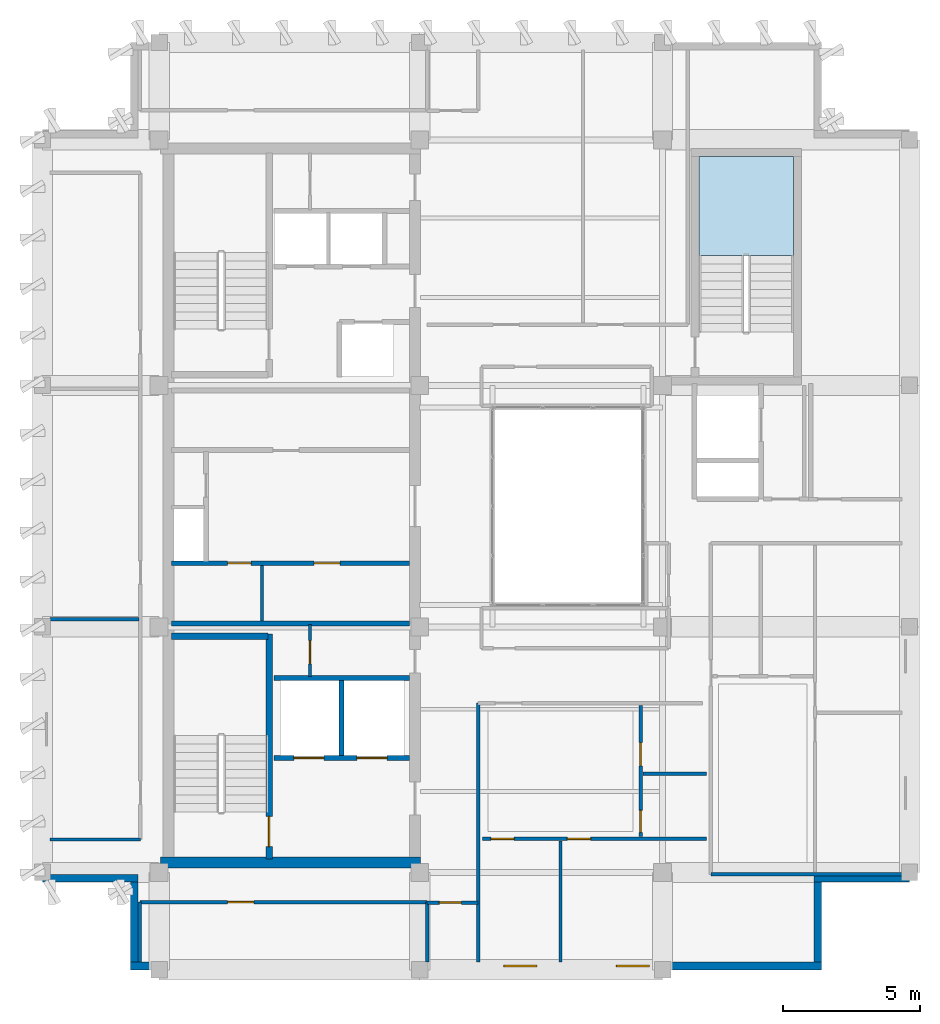
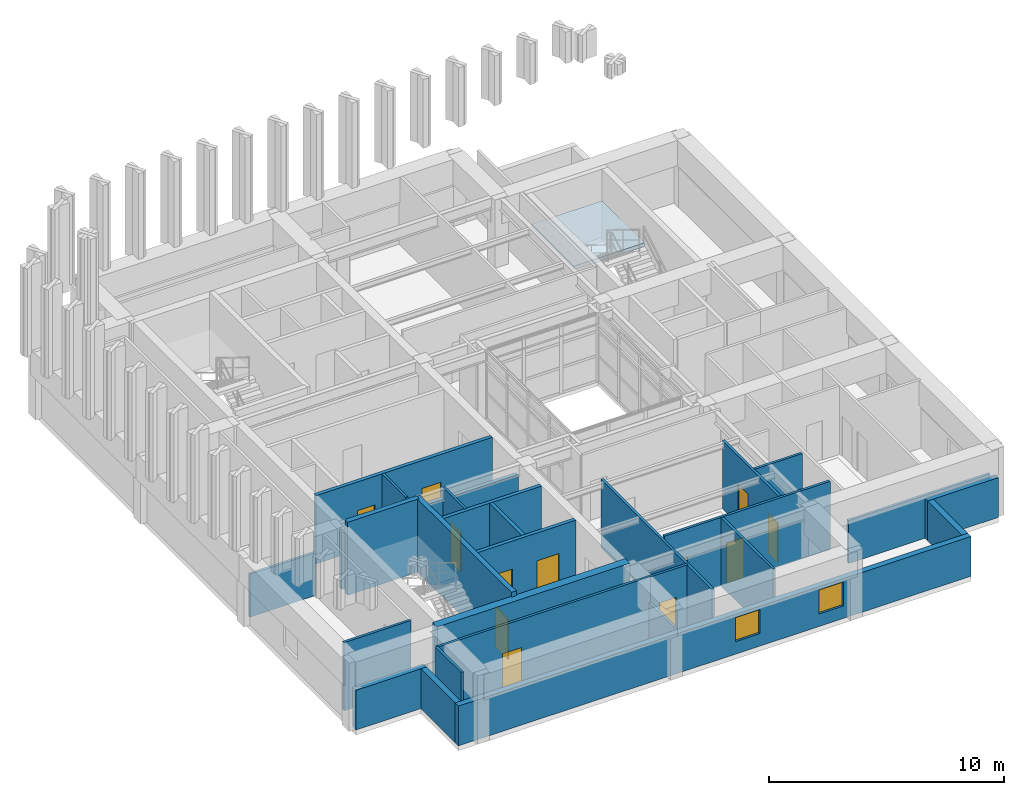
# One storey, part 6 of 11: 27 walls, 12 doors, 2 windows, 1 slab, 14 openings, 1 element without a shape of its own.
"""IFC4 building model written with IfcOpenShell, lengths in metres."""

from ifc_helpers import new_model, si_unit, direction, frame, frame_2d, origin, place, context, subcontext, project, spatial, polyline, rectangle, outline, extrude, material, layer, layer_set, type_object, element, fill, aggregate, save


model = new_model("IFC4")

# Units and contexts
model_context = context("Model", 3, precision=1e-05, world=origin(), true_north=direction((0.0, 1.0)))
body_context = subcontext(model_context, "Body", "Model", "MODEL_VIEW")
ifc_project = project(units=[si_unit("LENGTHUNIT", "METRE"), si_unit("AREAUNIT", "SQUARE_METRE"), si_unit("VOLUMEUNIT", "CUBIC_METRE"), si_unit("PLANEANGLEUNIT", "RADIAN"), si_unit("MASSUNIT", "GRAM", prefix="KILO")], contexts=[model_context])

# Site, building, storey
site_placement = place(None, origin())
site = spatial("IfcSite", under=ifc_project, at=site_placement, CompositionType="ELEMENT")
building_placement = place(site_placement, origin())
building = spatial("IfcBuilding", under=site, at=building_placement, Name="Kundavana Baori Tower", CompositionType="ELEMENT")
storey_placement = place(building_placement, frame((0.0, 0.0, 346.699951171875)))
storey = spatial("IfcBuildingStorey", under=building, at=storey_placement, Name="L86", CompositionType="ELEMENT", Elevation=346.699951171875)

# Stair, slab
ifc_material_1 = material(Name="Concrete C40/50", Category="concrete")
stair_type = type_object("IfcStairType", Name="STR-DOG-1650", PredefinedType="HALF_TURN_STAIR", material=ifc_material_1)
stair_placement = place(storey_placement, origin())
stair = element("IfcStair", 1, at=stair_placement, inside=storey, type_object=stair_type, Name="L86 Protected Exit Stair ST3", PredefinedType="HALF_TURN_STAIR")
ifc_material_2 = material(Name="Concrete C40/50", Category="concrete")
ifc_layer_1 = layer(ifc_material_2, 0.199951171875, Name="SLB-LND-200")
ifc_layer_set_1 = layer_set([ifc_layer_1], Name="Concrete C40/50")
slab_type = type_object("IfcSlabType", Name="SLB-LND-200", PredefinedType="LANDING", material=ifc_layer_set_1)
slab_placement = place(storey_placement, frame((0.0, 0.0, 1.699951171875)))
slab = element("IfcSlab", 2, at=slab_placement, type_object=slab_type, Name="ST3 landing 1", PredefinedType="LANDING", context=body_context, shape_type="SweptSolid", body=[
    extrude(outline(polyline([(38.580078125, 37.739990234375), (38.580078125, 41.35009765625), (35.1201171875, 41.35009765625), (35.1201171875, 37.739990234375), (38.580078125, 37.739990234375)])), origin(), (0.0, 0.0, 1.0), 0.2001953125),
])
aggregate(stair, [slab])

# Wall
ifc_material_3 = material(Name="Concrete C50/60", Category="concrete")
ifc_layer_2 = layer(ifc_material_3, 0.39990234375, Name="WL-CORE-400")
ifc_layer_set_2 = layer_set([ifc_layer_2], Name="Concrete C50/60")
wall_type_1 = type_object("IfcWallType", Name="WL-CORE-400", PredefinedType="SHEAR", material=ifc_layer_set_2)
wall_1_placement = place(storey_placement, frame((15.5, 15.610107421875, 0.0), z_axis=(0.0, 0.0, 1.0), x_axis=(1.0, 0.0, 0.0)))
element("IfcWall", 3, at=wall_1_placement, inside=storey, type_object=wall_type_1, Name="L86 Offset Core South Shear Wall", PredefinedType="SHEAR", context=body_context, shape_type="SweptSolid", body=[
    extrude(rectangle(XDim=9.47998046875, YDim=0.39990234375, at=frame_2d((4.739990234375, 0.0))), origin(), (0.0, 0.0, 1.0), 3.550048828125),
])

# Wall, opening, door
wall_2_placement = place(storey_placement, frame((19.4599609375, 15.739990234375, 0.0), z_axis=(0.0, 0.0, 1.0), x_axis=(0.0, 1.0, 0.0)))
wall_2 = element("IfcWall", 4, at=wall_2_placement, inside=storey, type_object=wall_type_1, Name="WL-L86-ST1-E", PredefinedType="SHEAR", context=body_context, shape_type="SweptSolid", body=[
    extrude(rectangle(XDim=8.199951171875, YDim=0.239990234375, at=frame_2d((4.10009765625, 0.0))), origin(), (0.0, 0.0, 1.0), 3.800048828125),
])
opening_1_placement = place(wall_2_placement, frame((0.449951171875, 0.0, 0.0)))
opening_1 = element("IfcOpeningElement", 5, at=opening_1_placement, cuts=wall_2, Name="Opening FD-110", PredefinedType="OPENING", context=body_context, shape_type="SweptSolid", body=[
    extrude(rectangle(XDim=1.10009765625, YDim=2.10009765625, at=frame_2d((0.550048828125, 1.050048828125))), frame((0.0, 0.1298828125, 0.0), z_axis=(0.0, -1.0, 0.0), x_axis=(1.0, 0.0, 0.0)), (0.0, 0.0, 1.0), 0.260009765625),
])
ifc_material_4 = material(Name="Galvanised Steel Fire-Rated Door Leaf", Category="steel")
door_type_1 = type_object("IfcDoorType", Name="DR-FD120-1100", OperationType="NOTDEFINED", PredefinedType="DOOR", material=ifc_material_4)
door_1_placement = place(opening_1_placement, origin())
door_1 = element("IfcDoor", 6, at=door_1_placement, inside=storey, type_object=door_type_1, Name="DR-L86-ST1", OperationType="SINGLE_SWING_LEFT", OverallHeight=2.10009765625, OverallWidth=1.10009765625, PredefinedType="DOOR", context=body_context, shape_type="SweptSolid", body=[
    extrude(rectangle(XDim=1.10009765625, YDim=2.10009765625, at=frame_2d((0.550048828125, 1.050048828125))), frame((0.0, 0.02490234375, 0.0), z_axis=(0.0, -1.0, 0.0), x_axis=(1.0, 0.0, 0.0)), (0.0, 0.0, 1.0), 0.050048828125),
])
fill(opening_1, door_1)

# Wall
wall_3_placement = place(storey_placement, frame((15.89990234375, 23.860107421875, 0.0), z_axis=(0.0, 0.0, 1.0), x_axis=(1.0, 0.0, 0.0)))
element("IfcWall", 7, at=wall_3_placement, inside=storey, type_object=wall_type_1, Name="WL-L86-ST1-N", PredefinedType="SHEAR", context=body_context, shape_type="SweptSolid", body=[
    extrude(rectangle(XDim=3.52001953125, YDim=0.239990234375, at=frame_2d((1.760009765625, 0.0))), origin(), (0.0, 0.0, 1.0), 3.800048828125),
])

# Wall, openings, windows
ifc_material_5 = material(Name="Red-Buff Dholpur Sandstone Cladding on Concrete C40/50", Category="masonry")
ifc_layer_3 = layer(ifc_material_5, 0.280029296875, Name="WL-EXT-SAND-280")
ifc_layer_set_3 = layer_set([ifc_layer_3], Name="Red-Buff Dholpur Sandstone Cladding on Concrete C40/50")
wall_type_2 = type_object("IfcWallType", Name="WL-EXT-SAND-280", PredefinedType="STANDARD", material=ifc_layer_set_3)
wall_4_placement = place(storey_placement, frame((14.39990234375, 11.840087890625, 0.0), z_axis=(0.0, 0.0, 1.0), x_axis=(1.0, 0.0, 0.0)))
wall_4 = element("IfcWall", 8, at=wall_4_placement, inside=storey, type_object=wall_type_2, Name="L86 Exterior Insulated Facade Wall 01", PredefinedType="STANDARD", context=body_context, shape_type="SweptSolid", body=[
    extrude(rectangle(XDim=25.2001953125, YDim=0.280029296875, at=frame_2d((12.60009765625, 0.0))), origin(), (0.0, 0.0, 1.0), 2.070068359375),
])
opening_2_placement = place(wall_4_placement, frame((13.6201171875, 0.0, 0.64990234375)))
opening_2 = element("IfcOpeningElement", 9, at=opening_2_placement, cuts=wall_4, Name="Opening W-12", PredefinedType="OPENING", context=body_context, shape_type="SweptSolid", body=[
    extrude(rectangle(XDim=1.199951171875, YDim=1.25, at=frame_2d((0.60009765625, 0.625))), frame((0.0, 0.14990234375, 0.0), z_axis=(0.0, -1.0, 0.0), x_axis=(1.0, 0.0, 0.0)), (0.0, 0.0, 1.0), 0.300048828125),
])
opening_3_placement = place(wall_4_placement, frame((17.720947265625, 0.0, 0.64990234375)))
opening_3 = element("IfcOpeningElement", 10, at=opening_3_placement, cuts=wall_4, Name="Opening W-12", PredefinedType="OPENING", context=body_context, shape_type="SweptSolid", body=[
    extrude(rectangle(XDim=1.199951171875, YDim=1.25, at=frame_2d((0.60009765625, 0.625))), frame((0.0, 0.14990234375, 0.0), z_axis=(0.0, -1.0, 0.0), x_axis=(1.0, 0.0, 0.0)), (0.0, 0.0, 1.0), 0.300048828125),
])
ifc_material_6 = material(Name="Double-Glazed Solar-Control Low-E Insulated Glass", Category="glass")
window_type = type_object("IfcWindowType", Name="WIN-TRN-1200x1250", PartitioningType="SINGLE_PANEL", PredefinedType="WINDOW", material=ifc_material_6)
window_1_placement = place(opening_2_placement, origin())
window_1 = element("IfcWindow", 11, at=window_1_placement, inside=storey, type_object=window_type, Name="L86 Dwelling Outlook Window DW-2", OverallHeight=1.25, OverallWidth=1.199951171875, PartitioningType="SINGLE_PANEL", PredefinedType="WINDOW", context=body_context, shape_type="SweptSolid", body=[
    extrude(rectangle(XDim=1.199951171875, YDim=1.25, at=frame_2d((0.60009765625, 0.625))), frame((0.0, 0.030029296875, 0.0), z_axis=(0.0, -1.0, 0.0), x_axis=(1.0, 0.0, 0.0)), (0.0, 0.0, 1.0), 0.06005859375),
])
fill(opening_2, window_1)
window_2_placement = place(opening_3_placement, origin())
window_2 = element("IfcWindow", 12, at=window_2_placement, inside=storey, type_object=window_type, Name="L86 Dwelling Outlook Window DW-3", OverallHeight=1.25, OverallWidth=1.199951171875, PartitioningType="SINGLE_PANEL", PredefinedType="WINDOW", context=body_context, shape_type="SweptSolid", body=[
    extrude(rectangle(XDim=1.199951171875, YDim=1.25, at=frame_2d((0.60009765625, 0.625))), frame((0.0, 0.030029296875, 0.0), z_axis=(0.0, -1.0, 0.0), x_axis=(1.0, 0.0, 0.0)), (0.0, 0.0, 1.0), 0.06005859375),
])
fill(opening_3, window_2)

# Walls
wall_5_placement = place(storey_placement, frame((39.4599609375, 11.97998046875, 0.0), z_axis=(0.0, 0.0, 1.0), x_axis=(0.0, 1.0, 0.0)))
element("IfcWall", 13, at=wall_5_placement, inside=storey, type_object=wall_type_2, Name="L86 Exterior Insulated Facade Wall 02", PredefinedType="STANDARD", context=body_context, shape_type="SweptSolid", body=[
    extrude(rectangle(XDim=2.919921875, YDim=0.280029296875, at=frame_2d((1.4599609375, 0.0))), origin(), (0.0, 0.0, 1.0), 2.070068359375),
])
for number, where, z_axis, x_axis, name in (
    (14, (39.320068359375, 15.0400390625, 0.0), (0.0, 0.0, 1.0), (1.0, 0.0, 0.0), "L86 Exterior Insulated Facade Wall 03"),
    (15, (11.199951171875, 15.0400390625, 0.0), (0.0, 0.0, 1.0), (1.0, 0.0, 0.0), "L86 Exterior Insulated Facade Wall 11"),
):
    element("IfcWall", number, at=place(storey_placement, frame(where, z_axis=z_axis, x_axis=x_axis)), inside=storey, type_object=wall_type_2, Name=name, PredefinedType="STANDARD", context=body_context, shape_type="SweptSolid", body=[
        extrude(rectangle(XDim=3.47998046875, YDim=0.280029296875, at=frame_2d((1.739990234375, 0.0))), origin(), (0.0, 0.0, 1.0), 2.070068359375),
    ])
wall_6_placement = place(storey_placement, frame((14.5400390625, 14.89990234375, 0.0), z_axis=(0.0, 0.0, 1.0), x_axis=(0.0, -1.0, 0.0)))
element("IfcWall", 16, at=wall_6_placement, inside=storey, type_object=wall_type_2, Name="L86 Exterior Insulated Facade Wall 12", PredefinedType="STANDARD", context=body_context, shape_type="SweptSolid", body=[
    extrude(rectangle(XDim=2.919921875, YDim=0.280029296875, at=frame_2d((1.4599609375, 0.0))), origin(), (0.0, 0.0, 1.0), 2.070068359375),
])

# Wall, opening, door
ifc_material_7 = material(Name="Acoustic Gypsum Plasterboard on Galvanised Steel Studs", Category="steel")
ifc_layer_4 = layer(ifc_material_7, 0.1201171875, Name="WL-PART-120")
ifc_layer_set_4 = layer_set([ifc_layer_4], Name="Acoustic Gypsum Plasterboard on Galvanised Steel Studs")
wall_type_3 = type_object("IfcWallType", Name="WL-PART-120", PredefinedType="PARTITIONING", material=ifc_layer_set_4)
wall_7_placement = place(storey_placement, frame((20.949951171875, 22.39990234375, 0.0), z_axis=(0.0, 0.0, 1.0), x_axis=(0.0, 1.0, 0.0)))
wall_7 = element("IfcWall", 17, at=wall_7_placement, inside=storey, type_object=wall_type_3, Name="WL-L86-CSMK-D2", PredefinedType="PARTITIONING", context=body_context, shape_type="SweptSolid", body=[
    extrude(rectangle(XDim=1.880126953125, YDim=0.1201171875, at=frame_2d((0.93994140625, 0.0))), origin(), (0.0, 0.0, 1.0), 3.550048828125),
])
opening_4_placement = place(wall_7_placement, frame((0.449951171875, 0.0, 0.0)))
opening_4 = element("IfcOpeningElement", 18, at=opening_4_placement, cuts=wall_7, Name="Opening FD-085", PredefinedType="OPENING", context=body_context, shape_type="SweptSolid", body=[
    extrude(rectangle(XDim=0.85009765625, YDim=2.06005859375, at=frame_2d((0.425048828125, 1.030029296875))), frame((0.0, 0.070068359375, 0.0), z_axis=(0.0, -1.0, 0.0), x_axis=(1.0, 0.0, 0.0)), (0.0, 0.0, 1.0), 0.14013671875),
])
ifc_material_8 = material(Name="Galvanised Steel Fire-Rated Door Leaf", Category="steel")
door_type_2 = type_object("IfcDoorType", Name="DR-FD60-850", OperationType="NOTDEFINED", PredefinedType="DOOR", material=ifc_material_8)
door_2_placement = place(opening_4_placement, origin())
door_2 = element("IfcDoor", 19, at=door_2_placement, inside=storey, type_object=door_type_2, Name="DR-L86-CSMK1", OperationType="SINGLE_SWING_RIGHT", OverallHeight=2.06005859375, OverallWidth=0.85009765625, PredefinedType="DOOR", context=body_context, shape_type="SweptSolid", body=[
    extrude(rectangle(XDim=0.85009765625, YDim=2.06005859375, at=frame_2d((0.425048828125, 1.030029296875))), frame((0.0, 0.02490234375, 0.0), z_axis=(0.0, -1.0, 0.0), x_axis=(1.0, 0.0, 0.0)), (0.0, 0.0, 1.0), 0.050048828125),
])
fill(opening_4, door_2)

# Wall
wall_8_placement = place(storey_placement, frame((19.199951171875, 24.419921875, 0.0), z_axis=(0.0, 0.0, 1.0), x_axis=(0.0, 1.0, 0.0)))
element("IfcWall", 20, at=wall_8_placement, inside=storey, type_object=wall_type_3, Name="WL-L86-FRLOW-DIV", PredefinedType="PARTITIONING", context=body_context, shape_type="SweptSolid", body=[
    extrude(rectangle(XDim=2.02001953125, YDim=0.1201171875, at=frame_2d((1.010009765625, 0.0))), origin(), (0.0, 0.0, 1.0), 3.550048828125),
])

# Wall, openings, doors
ifc_material_9 = material(Name="Autoclaved Aerated Concrete Blockwork Masonry", Category="masonry")
ifc_layer_5 = layer(ifc_material_9, 0.179931640625, Name="WL-SHAFT-180")
ifc_layer_set_5 = layer_set([ifc_layer_5], Name="Autoclaved Aerated Concrete Blockwork Masonry")
wall_type_4 = type_object("IfcWallType", Name="WL-SHAFT-180", PredefinedType="SOLIDWALL", material=ifc_layer_set_5)
wall_9_placement = place(storey_placement, frame((19.639892578125, 19.419921875, 0.0), z_axis=(0.0, 0.0, 1.0), x_axis=(1.0, 0.0, 0.0)))
wall_9 = element("IfcWall", 21, at=wall_9_placement, inside=storey, type_object=wall_type_4, Name="WL-L86-FFL-S", PredefinedType="SOLIDWALL", context=body_context, shape_type="SweptSolid", body=[
    extrude(rectangle(XDim=4.940185546875, YDim=0.179931640625, at=frame_2d((2.47021484375, 0.0))), origin(), (0.0, 0.0, 1.0), 3.550048828125),
])
opening_5_placement = place(wall_9_placement, frame((0.719970703125, 0.0, 0.0)))
opening_5 = element("IfcOpeningElement", 22, at=opening_5_placement, cuts=wall_9, Name="Opening LD-110", PredefinedType="OPENING", context=body_context, shape_type="SweptSolid", body=[
    extrude(rectangle(XDim=1.10009765625, YDim=2.10009765625, at=frame_2d((0.550048828125, 1.050048828125))), frame((0.0, 0.10009765625, 0.0), z_axis=(0.0, -1.0, 0.0), x_axis=(1.0, 0.0, 0.0)), (0.0, 0.0, 1.0), 0.199951171875),
])
opening_6_placement = place(wall_9_placement, frame((3.02001953125, 0.0, 0.0)))
opening_6 = element("IfcOpeningElement", 23, at=opening_6_placement, cuts=wall_9, Name="Opening LD-110", PredefinedType="OPENING", context=body_context, shape_type="SweptSolid", body=[
    extrude(rectangle(XDim=1.10009765625, YDim=2.10009765625, at=frame_2d((0.550048828125, 1.050048828125))), frame((0.0, 0.10009765625, 0.0), z_axis=(0.0, -1.0, 0.0), x_axis=(1.0, 0.0, 0.0)), (0.0, 0.0, 1.0), 0.199951171875),
])
ifc_material_10 = material(Name="Galvanised Steel Fire-Rated Door Leaf", Category="steel")
door_type_3 = type_object("IfcDoorType", Name="DR-SLIDE-LD1100", OperationType="NOTDEFINED", PredefinedType="DOOR", material=ifc_material_10)
door_3_placement = place(opening_5_placement, origin())
door_3 = element("IfcDoor", 24, at=door_3_placement, inside=storey, type_object=door_type_3, Name="DR-L86-LD-FFL-1", OperationType="DOUBLE_DOOR_SLIDING", OverallHeight=2.10009765625, OverallWidth=1.10009765625, PredefinedType="DOOR", context=body_context, shape_type="SweptSolid", body=[
    extrude(rectangle(XDim=1.10009765625, YDim=2.10009765625, at=frame_2d((0.550048828125, 1.050048828125))), frame((0.0, 0.02490234375, 0.0), z_axis=(0.0, -1.0, 0.0), x_axis=(1.0, 0.0, 0.0)), (0.0, 0.0, 1.0), 0.050048828125),
])
fill(opening_5, door_3)
door_4_placement = place(opening_6_placement, origin())
door_4 = element("IfcDoor", 25, at=door_4_placement, inside=storey, type_object=door_type_3, Name="DR-L86-LD-FFL-2", OperationType="DOUBLE_DOOR_SLIDING", OverallHeight=2.10009765625, OverallWidth=1.10009765625, PredefinedType="DOOR", context=body_context, shape_type="SweptSolid", body=[
    extrude(rectangle(XDim=1.10009765625, YDim=2.10009765625, at=frame_2d((0.550048828125, 1.050048828125))), frame((0.0, 0.02490234375, 0.0), z_axis=(0.0, -1.0, 0.0), x_axis=(1.0, 0.0, 0.0)), (0.0, 0.0, 1.0), 0.050048828125),
])
fill(opening_6, door_4)

# Walls
wall_10_placement = place(storey_placement, frame((22.10009765625, 19.510009765625, 0.0), z_axis=(0.0, 0.0, 1.0), x_axis=(0.0, 1.0, 0.0)))
element("IfcWall", 26, at=wall_10_placement, inside=storey, type_object=wall_type_4, Name="WL-L86-FFL-MID", PredefinedType="SOLIDWALL", context=body_context, shape_type="SweptSolid", body=[
    extrude(rectangle(XDim=2.739990234375, YDim=0.179931640625, at=frame_2d((1.3701171875, 0.0))), origin(), (0.0, 0.0, 1.0), 3.550048828125),
])
wall_11_placement = place(storey_placement, frame((19.639892578125, 22.340087890625, 0.0), z_axis=(0.0, 0.0, 1.0), x_axis=(1.0, 0.0, 0.0)))
element("IfcWall", 27, at=wall_11_placement, inside=storey, type_object=wall_type_4, Name="WL-L86-FFL-N", PredefinedType="SOLIDWALL", context=body_context, shape_type="SweptSolid", body=[
    extrude(rectangle(XDim=4.940185546875, YDim=0.179931640625, at=frame_2d((2.47021484375, 0.0))), origin(), (0.0, 0.0, 1.0), 3.550048828125),
])

# Wall, openings, doors
wall_12_placement = place(storey_placement, frame((15.89990234375, 26.52001953125, 0.0), z_axis=(0.0, 0.0, 1.0), x_axis=(1.0, 0.0, 0.0)))
wall_12 = element("IfcWall", 28, at=wall_12_placement, inside=storey, type_object=wall_type_4, Name="WL-L86-LPLOW-N", PredefinedType="SOLIDWALL", context=body_context, shape_type="SweptSolid", body=[
    extrude(rectangle(XDim=8.68017578125, YDim=0.179931640625, at=frame_2d((4.340087890625, 0.0))), origin(), (0.0, 0.0, 1.0), 3.550048828125),
])
opening_7_placement = place(wall_12_placement, frame((2.050048828125, 0.0, 0.0)))
opening_7 = element("IfcOpeningElement", 29, at=opening_7_placement, cuts=wall_12, Name="Opening FD-085", PredefinedType="OPENING", context=body_context, shape_type="SweptSolid", body=[
    extrude(rectangle(XDim=0.85009765625, YDim=2.06005859375, at=frame_2d((0.425048828125, 1.030029296875))), frame((0.0, 0.10009765625, 0.0), z_axis=(0.0, -1.0, 0.0), x_axis=(1.0, 0.0, 0.0)), (0.0, 0.0, 1.0), 0.199951171875),
])
opening_8_placement = place(wall_12_placement, frame((5.199951171875, 0.0, 0.0)))
opening_8 = element("IfcOpeningElement", 30, at=opening_8_placement, cuts=wall_12, Name="Opening FD-095", PredefinedType="OPENING", context=body_context, shape_type="SweptSolid", body=[
    extrude(rectangle(XDim=0.949951171875, YDim=2.10009765625, at=frame_2d((0.47509765625, 1.050048828125))), frame((0.0, 0.10009765625, 0.0), z_axis=(0.0, -1.0, 0.0), x_axis=(1.0, 0.0, 0.0)), (0.0, 0.0, 1.0), 0.199951171875),
])
door_5_placement = place(opening_7_placement, origin())
door_5 = element("IfcDoor", 31, at=door_5_placement, inside=storey, type_object=door_type_2, Name="DR-L86-FRLOW1", OperationType="SINGLE_SWING_LEFT", OverallHeight=2.06005859375, OverallWidth=0.85009765625, PredefinedType="DOOR", context=body_context, shape_type="SweptSolid", body=[
    extrude(rectangle(XDim=0.85009765625, YDim=2.06005859375, at=frame_2d((0.425048828125, 1.030029296875))), frame((0.0, 0.02490234375, 0.0), z_axis=(0.0, -1.0, 0.0), x_axis=(1.0, 0.0, 0.0)), (0.0, 0.0, 1.0), 0.050048828125),
])
fill(opening_7, door_5)
ifc_material_11 = material(Name="Engineered Teak Fire-Rated Timber Door Leaf", Category="wood")
door_type_4 = type_object("IfcDoorType", Name="DR-FD60-950", OperationType="NOTDEFINED", PredefinedType="DOOR", material=ifc_material_11)
door_6_placement = place(opening_8_placement, origin())
door_6 = element("IfcDoor", 32, at=door_6_placement, inside=storey, type_object=door_type_4, Name="DR-L86-FRLOW2", OperationType="SINGLE_SWING_RIGHT", OverallHeight=2.10009765625, OverallWidth=0.949951171875, PredefinedType="DOOR", context=body_context, shape_type="SweptSolid", body=[
    extrude(rectangle(XDim=0.949951171875, YDim=2.10009765625, at=frame_2d((0.47509765625, 1.050048828125))), frame((0.0, 0.02490234375, 0.0), z_axis=(0.0, -1.0, 0.0), x_axis=(1.0, 0.0, 0.0)), (0.0, 0.0, 1.0), 0.050048828125),
])
fill(opening_8, door_6)

# Walls
wall_13_placement = place(storey_placement, frame((15.89990234375, 24.330078125, 0.0), z_axis=(0.0, 0.0, 1.0), x_axis=(1.0, 0.0, 0.0)))
element("IfcWall", 33, at=wall_13_placement, inside=storey, type_object=wall_type_4, Name="WL-L86-LPLOW-S", PredefinedType="SOLIDWALL", context=body_context, shape_type="SweptSolid", body=[
    extrude(rectangle(XDim=8.68017578125, YDim=0.179931640625, at=frame_2d((4.340087890625, 0.0))), origin(), (0.0, 0.0, 1.0), 2.949951171875),
])
ifc_material_12 = material(Name="Autoclaved Aerated Concrete Blockwork Masonry", Category="masonry")
ifc_layer_6 = layer(ifc_material_12, 0.125, Name="WL-WET-120")
ifc_layer_set_6 = layer_set([ifc_layer_6], Name="Autoclaved Aerated Concrete Blockwork Masonry")
wall_type_5 = type_object("IfcWallType", Name="WL-WET-120", PredefinedType="PLUMBINGWALL", material=ifc_layer_set_6)
wall_14_placement = place(storey_placement, frame((27.080078125, 11.97998046875, 0.0), z_axis=(0.0, 0.0, 1.0), x_axis=(0.0, 1.0, 0.0)))
element("IfcWall", 34, at=wall_14_placement, inside=storey, type_object=wall_type_5, Name="WL-L86-RSW", PredefinedType="PLUMBINGWALL", context=body_context, shape_type="SweptSolid", body=[
    extrude(rectangle(XDim=9.43994140625, YDim=0.125, at=frame_2d((4.719970703125, 0.0))), origin(), (0.0, 0.0, 1.0), 3.550048828125),
])

# Wall, opening, door
wall_15_placement = place(storey_placement, frame((14.75, 14.169921875, 0.0), z_axis=(0.0, 0.0, 1.0), x_axis=(1.0, 0.0, 0.0)))
wall_15 = element("IfcWall", 35, at=wall_15_placement, inside=storey, type_object=wall_type_5, Name="WL-L86-RSC", PredefinedType="PLUMBINGWALL", context=body_context, shape_type="SweptSolid", body=[
    extrude(rectangle(XDim=10.469970703125, YDim=0.125, at=frame_2d((5.23486328125, 0.0))), origin(), (0.0, 0.0, 1.0), 3.550048828125),
])
opening_9_placement = place(wall_15_placement, frame((3.199951171875, 0.0, 0.0)))
opening_9 = element("IfcOpeningElement", 36, at=opening_9_placement, cuts=wall_15, Name="Opening ID-095", PredefinedType="OPENING", context=body_context, shape_type="SweptSolid", body=[
    extrude(rectangle(XDim=0.949951171875, YDim=2.080078125, at=frame_2d((0.47509765625, 1.0400390625))), frame((0.0, 0.072509765625, 0.0), z_axis=(0.0, -1.0, 0.0), x_axis=(1.0, 0.0, 0.0)), (0.0, 0.0, 1.0), 0.14501953125),
])
ifc_material_13 = material(Name="Engineered Teak Solid-Core Timber Veneer", Category="wood")
door_type_5 = type_object("IfcDoorType", Name="DR-INT-950", OperationType="NOTDEFINED", PredefinedType="DOOR", material=ifc_material_13)
door_7_placement = place(opening_9_placement, frame((0.949951171875, 0.0, 0.0), z_axis=(0.0, 0.0, 1.0), x_axis=(-1.0, 0.0, 0.0)))
door_7 = element("IfcDoor", 37, at=door_7_placement, inside=storey, type_object=door_type_5, Name="DR-L86-RMSW", OperationType="SINGLE_SWING_LEFT", OverallHeight=2.080078125, OverallWidth=0.949951171875, PredefinedType="DOOR", context=body_context, shape_type="SweptSolid", body=[
    extrude(rectangle(XDim=0.949951171875, YDim=2.080078125, at=frame_2d((0.47509765625, 1.0400390625))), frame((0.0, 0.02490234375, 0.0), z_axis=(0.0, -1.0, 0.0), x_axis=(1.0, 0.0, 0.0)), (0.0, 0.0, 1.0), 0.050048828125),
])
fill(opening_9, door_7)

# Walls
wall_16_placement = place(storey_placement, frame((14.75, 11.97998046875, 0.0), z_axis=(0.0, 0.0, 1.0), x_axis=(0.0, 1.0, 0.0)))
element("IfcWall", 38, at=wall_16_placement, inside=storey, type_object=wall_type_5, Name="WL-L86-RSCW", PredefinedType="PLUMBINGWALL", context=body_context, shape_type="SweptSolid", body=[
    extrude(rectangle(XDim=2.18994140625, YDim=0.125, at=frame_2d((1.094970703125, 0.0))), origin(), (0.0, 0.0, 1.0), 3.550048828125),
])
wall_17_placement = place(storey_placement, frame((25.219970703125, 11.97998046875, 0.0), z_axis=(0.0, 0.0, 1.0), x_axis=(0.0, 1.0, 0.0)))
element("IfcWall", 39, at=wall_17_placement, inside=storey, type_object=wall_type_5, Name="WL-L86-RSCE", PredefinedType="PLUMBINGWALL", context=body_context, shape_type="SweptSolid", body=[
    extrude(rectangle(XDim=2.18994140625, YDim=0.125, at=frame_2d((1.094970703125, 0.0))), origin(), (0.0, 0.0, 1.0), 2.22998046875),
])
wall_18_placement = place(storey_placement, frame((11.47998046875, 16.449951171875, 0.0), z_axis=(0.0, 0.0, 1.0), x_axis=(1.0, 0.0, 0.0)))
element("IfcWall", 40, at=wall_18_placement, inside=storey, type_object=wall_type_5, Name="WL-L86-RWS", PredefinedType="PLUMBINGWALL", context=body_context, shape_type="SweptSolid", body=[
    extrude(rectangle(XDim=3.2900390625, YDim=0.125, at=frame_2d((1.64501953125, 0.0))), origin(), (0.0, 0.0, 1.0), 3.550048828125),
])
wall_19_placement = place(storey_placement, frame((11.47998046875, 24.47998046875, 0.0), z_axis=(0.0, 0.0, 1.0), x_axis=(1.0, 0.0, 0.0)))
element("IfcWall", 41, at=wall_19_placement, inside=storey, type_object=wall_type_5, Name="WL-L86-RWD85-2", PredefinedType="PLUMBINGWALL", context=body_context, shape_type="SweptSolid", body=[
    extrude(rectangle(XDim=3.22998046875, YDim=0.125, at=frame_2d((1.614990234375, 0.0))), origin(), (0.0, 0.0, 1.0), 2.22998046875),
])

# Wall, openings, doors
wall_20_placement = place(storey_placement, frame((27.239990234375, 16.472900390625, 0.0), z_axis=(0.0, 0.0, 1.0), x_axis=(1.0, 0.0, 0.0)))
wall_20 = element("IfcWall", 42, at=wall_20_placement, inside=storey, type_object=wall_type_5, Name="WL-L86-S1-HZ", PredefinedType="PLUMBINGWALL", context=body_context, shape_type="SweptSolid", body=[
    extrude(rectangle(XDim=8.159912109375, YDim=0.125, at=frame_2d((4.080078125, 0.0))), origin(), (0.0, 0.0, 1.0), 3.550048828125),
])
opening_10_placement = place(wall_20_placement, frame((0.300048828125, 0.0, 0.0)))
opening_10 = element("IfcOpeningElement", 43, at=opening_10_placement, cuts=wall_20, Name="Opening ID-085", PredefinedType="OPENING", context=body_context, shape_type="SweptSolid", body=[
    extrude(rectangle(XDim=0.85009765625, YDim=2.080078125, at=frame_2d((0.425048828125, 1.0400390625))), frame((0.0, 0.072509765625, 0.0), z_axis=(0.0, -1.0, 0.0), x_axis=(1.0, 0.0, 0.0)), (0.0, 0.0, 1.0), 0.14501953125),
])
opening_11_placement = place(wall_20_placement, frame((3.090087890625, 0.0, 0.0)))
opening_11 = element("IfcOpeningElement", 44, at=opening_11_placement, cuts=wall_20, Name="Opening ID-085", PredefinedType="OPENING", context=body_context, shape_type="SweptSolid", body=[
    extrude(rectangle(XDim=0.85009765625, YDim=2.080078125, at=frame_2d((0.425048828125, 1.0400390625))), frame((0.0, 0.072509765625, 0.0), z_axis=(0.0, -1.0, 0.0), x_axis=(1.0, 0.0, 0.0)), (0.0, 0.0, 1.0), 0.14501953125),
])
ifc_material_14 = material(Name="Engineered Teak Solid-Core Timber Veneer", Category="wood")
door_type_6 = type_object("IfcDoorType", Name="DR-INT-850", OperationType="NOTDEFINED", PredefinedType="DOOR", material=ifc_material_14)
door_8_placement = place(opening_10_placement, frame((0.85009765625, 0.0, 0.0), z_axis=(0.0, 0.0, 1.0), x_axis=(-1.0, 0.0, 0.0)))
door_8 = element("IfcDoor", 45, at=door_8_placement, inside=storey, type_object=door_type_6, Name="DR-L86-S1-B1", OperationType="SINGLE_SWING_LEFT", OverallHeight=2.080078125, OverallWidth=0.85009765625, PredefinedType="DOOR", context=body_context, shape_type="SweptSolid", body=[
    extrude(rectangle(XDim=0.85009765625, YDim=2.080078125, at=frame_2d((0.425048828125, 1.0400390625))), frame((0.0, 0.02490234375, 0.0), z_axis=(0.0, -1.0, 0.0), x_axis=(1.0, 0.0, 0.0)), (0.0, 0.0, 1.0), 0.050048828125),
])
fill(opening_10, door_8)
door_9_placement = place(opening_11_placement, frame((0.85009765625, 0.0, 0.0), z_axis=(0.0, 0.0, 1.0), x_axis=(-1.0, 0.0, 0.0)))
door_9 = element("IfcDoor", 46, at=door_9_placement, inside=storey, type_object=door_type_6, Name="DR-L86-S1-B2", OperationType="SINGLE_SWING_RIGHT", OverallHeight=2.080078125, OverallWidth=0.85009765625, PredefinedType="DOOR", context=body_context, shape_type="SweptSolid", body=[
    extrude(rectangle(XDim=0.85009765625, YDim=2.080078125, at=frame_2d((0.425048828125, 1.0400390625))), frame((0.0, 0.02490234375, 0.0), z_axis=(0.0, -1.0, 0.0), x_axis=(1.0, 0.0, 0.0)), (0.0, 0.0, 1.0), 0.050048828125),
])
fill(opening_11, door_9)

wall_21_placement = place(storey_placement, frame((33.0, 16.552978515625, 0.0), z_axis=(0.0, 0.0, 1.0), x_axis=(0.0, 1.0, 0.0)))
wall_21 = element("IfcWall", 47, at=wall_21_placement, inside=storey, type_object=wall_type_5, Name="WL-L86-S1-KT", PredefinedType="PLUMBINGWALL", context=body_context, shape_type="SweptSolid", body=[
    extrude(rectangle(XDim=4.787109375, YDim=0.125, at=frame_2d((2.3935546875, 0.0))), origin(), (0.0, 0.0, 1.0), 3.550048828125),
])
opening_12_placement = place(wall_21_placement, frame((0.159912109375, 0.0, 0.0)))
opening_12 = element("IfcOpeningElement", 48, at=opening_12_placement, cuts=wall_21, Name="Opening WD-080", PredefinedType="OPENING", context=body_context, shape_type="SweptSolid", body=[
    extrude(rectangle(XDim=0.800048828125, YDim=2.050048828125, at=frame_2d((0.39990234375, 1.02490234375))), frame((0.0, 0.072509765625, 0.0), z_axis=(0.0, -1.0, 0.0), x_axis=(1.0, 0.0, 0.0)), (0.0, 0.0, 1.0), 0.14501953125),
])
opening_13_placement = place(wall_21_placement, frame((2.577880859375, 0.0, 0.0)))
opening_13 = element("IfcOpeningElement", 49, at=opening_13_placement, cuts=wall_21, Name="Opening ID-085", PredefinedType="OPENING", context=body_context, shape_type="SweptSolid", body=[
    extrude(rectangle(XDim=0.85009765625, YDim=2.080078125, at=frame_2d((0.425048828125, 1.0400390625))), frame((0.0, 0.072509765625, 0.0), z_axis=(0.0, -1.0, 0.0), x_axis=(1.0, 0.0, 0.0)), (0.0, 0.0, 1.0), 0.14501953125),
])
door_10_placement = place(opening_13_placement, origin())
door_10 = element("IfcDoor", 50, at=door_10_placement, inside=storey, type_object=door_type_6, Name="DR-L86-S1-KT", OperationType="SINGLE_SWING_RIGHT", OverallHeight=2.080078125, OverallWidth=0.85009765625, PredefinedType="DOOR", context=body_context, shape_type="SweptSolid", body=[
    extrude(rectangle(XDim=0.85009765625, YDim=2.080078125, at=frame_2d((0.425048828125, 1.0400390625))), frame((0.0, 0.02490234375, 0.0), z_axis=(0.0, -1.0, 0.0), x_axis=(1.0, 0.0, 0.0)), (0.0, 0.0, 1.0), 0.050048828125),
])
fill(opening_13, door_10)
ifc_material_15 = material(Name="Engineered Teak Solid-Core Timber Veneer", Category="wood")
door_type_7 = type_object("IfcDoorType", Name="DR-WET-800", OperationType="NOTDEFINED", PredefinedType="DOOR", material=ifc_material_15)
door_11_placement = place(opening_12_placement, origin())
door_11 = element("IfcDoor", 51, at=door_11_placement, inside=storey, type_object=door_type_7, Name="DR-L86-S1-BT", OperationType="SINGLE_SWING_LEFT", OverallHeight=2.050048828125, OverallWidth=0.800048828125, PredefinedType="DOOR", context=body_context, shape_type="SweptSolid", body=[
    extrude(rectangle(XDim=0.800048828125, YDim=2.050048828125, at=frame_2d((0.39990234375, 1.02490234375))), frame((0.0, 0.02490234375, 0.0), z_axis=(0.0, -1.0, 0.0), x_axis=(1.0, 0.0, 0.0)), (0.0, 0.0, 1.0), 0.050048828125),
])
fill(opening_12, door_11)

# Walls
wall_22_placement = place(storey_placement, frame((33.080078125, 18.85107421875, 0.0), z_axis=(0.0, 0.0, 1.0), x_axis=(1.0, 0.0, 0.0)))
element("IfcWall", 52, at=wall_22_placement, inside=storey, type_object=wall_type_5, Name="WL-L86-S1-BT", PredefinedType="PLUMBINGWALL", context=body_context, shape_type="SweptSolid", body=[
    extrude(rectangle(XDim=2.31982421875, YDim=0.125, at=frame_2d((1.159912109375, 0.0))), origin(), (0.0, 0.0, 1.0), 3.550048828125),
])
wall_23_placement = place(storey_placement, frame((30.080078125, 11.97998046875, 0.0), z_axis=(0.0, 0.0, 1.0), x_axis=(0.0, 1.0, 0.0)))
element("IfcWall", 53, at=wall_23_placement, inside=storey, type_object=wall_type_5, Name="WL-L86-S1-BDV", PredefinedType="PLUMBINGWALL", context=body_context, shape_type="SweptSolid", body=[
    extrude(rectangle(XDim=4.4130859375, YDim=0.125, at=frame_2d((2.20654296875, 0.0))), origin(), (0.0, 0.0, 1.0), 3.550048828125),
])
wall_24_placement = place(storey_placement, frame((35.56005859375, 15.179931640625, 0.0), z_axis=(0.0, 0.0, 1.0), x_axis=(1.0, 0.0, 0.0)))
element("IfcWall", 54, at=wall_24_placement, inside=storey, type_object=wall_type_5, Name="WL-L86-CSES", PredefinedType="PLUMBINGWALL", context=body_context, shape_type="SweptSolid", body=[
    extrude(rectangle(XDim=6.9599609375, YDim=0.125, at=frame_2d((3.47998046875, 0.0))), origin(), (0.0, 0.0, 1.0), 2.22998046875),
])

# Wall, opening, door
wall_25_placement = place(storey_placement, frame((25.219970703125, 14.14990234375, 0.0), z_axis=(0.0, 0.0, 1.0), x_axis=(1.0, 0.0, 0.0)))
wall_25 = element("IfcWall", 55, at=wall_25_placement, inside=storey, type_object=wall_type_5, Name="WL-L86-CSCN", PredefinedType="PLUMBINGWALL", context=body_context, shape_type="SweptSolid", body=[
    extrude(rectangle(XDim=1.860107421875, YDim=0.125, at=frame_2d((0.93017578125, 0.0))), origin(), (0.0, 0.0, 1.0), 3.550048828125),
])
opening_14_placement = place(wall_25_placement, frame((0.449951171875, 0.0, 0.0)))
opening_14 = element("IfcOpeningElement", 56, at=opening_14_placement, cuts=wall_25, Name="Opening WD-080", PredefinedType="OPENING", context=body_context, shape_type="SweptSolid", body=[
    extrude(rectangle(XDim=0.800048828125, YDim=2.050048828125, at=frame_2d((0.39990234375, 1.02490234375))), frame((0.0, 0.072509765625, 0.0), z_axis=(0.0, -1.0, 0.0), x_axis=(1.0, 0.0, 0.0)), (0.0, 0.0, 1.0), 0.14501953125),
])
door_12_placement = place(opening_14_placement, origin())
door_12 = element("IfcDoor", 57, at=door_12_placement, inside=storey, type_object=door_type_7, Name="DR-L86-CSCS", OperationType="SINGLE_SWING_LEFT", OverallHeight=2.050048828125, OverallWidth=0.800048828125, PredefinedType="DOOR", context=body_context, shape_type="SweptSolid", body=[
    extrude(rectangle(XDim=0.800048828125, YDim=2.050048828125, at=frame_2d((0.39990234375, 1.02490234375))), frame((0.0, 0.02490234375, 0.0), z_axis=(0.0, -1.0, 0.0), x_axis=(1.0, 0.0, 0.0)), (0.0, 0.0, 1.0), 0.050048828125),
])
fill(opening_14, door_12)

save(model, "model.ifc")
